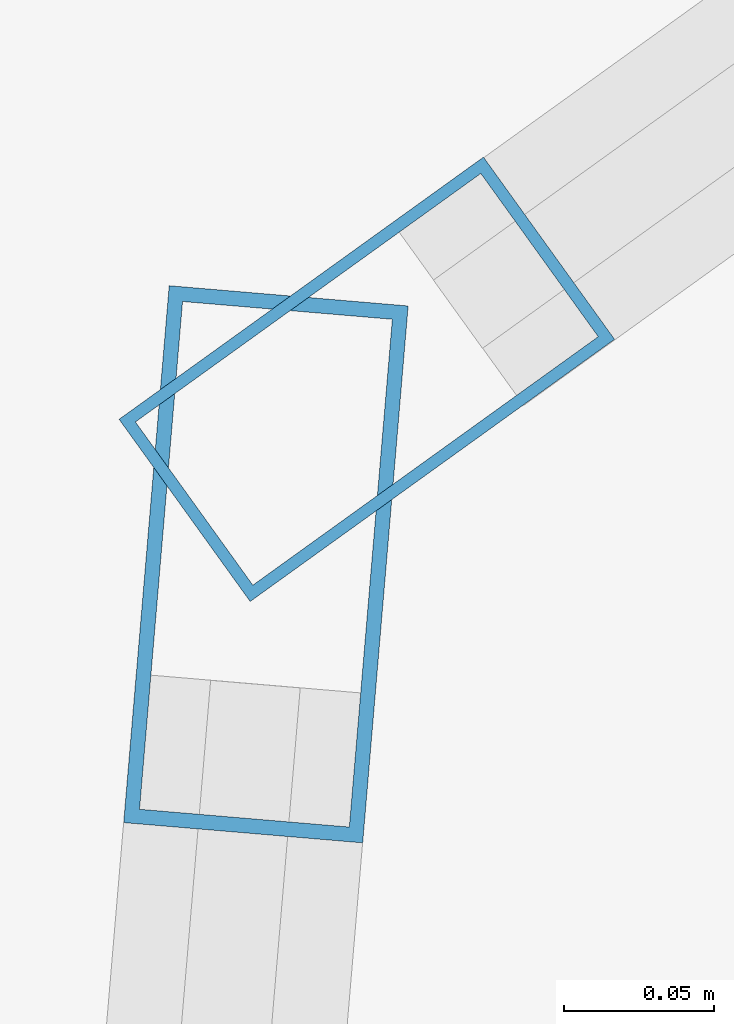
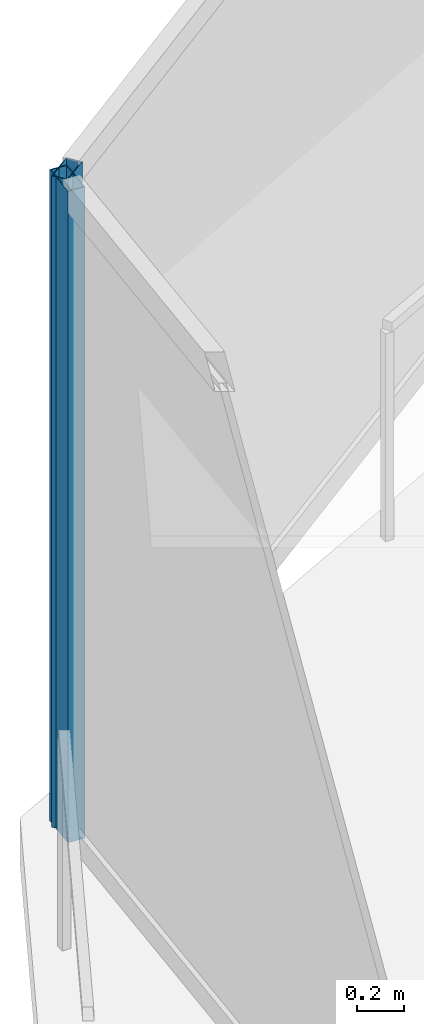
# One storey, part 17 of 30: 2 members, 2 elements without a shape of their own.
"""IFC4 building model written with IfcOpenShell, lengths in metres."""

import ifcopenshell
import ifcopenshell.guid

model = None  # the IFC model being written
_history = None  # IfcOwnerHistory: only IFC2X3 demands one
_inside = {}  # id of a spatial element -> (the spatial element, [elements in it])
_under = {}  # id of a project, library or spatial element -> (it, [spatial elements below it])
_declared = {}  # id of a project -> (the project, [libraries it declares])
_typed = {}  # id of a type object -> (the type object, [elements of that type])
_made_of = {}  # id of a material, layer set ... -> (it, [elements and type objects made of it])


def new_model(schema):
    """Start an empty IFC model of exactly this schema.

    Asked for "IFC4X3", IfcOpenShell would pick the latest addendum, in which some entities
    have other attributes; the version numbers below select the first issue.
    IFC2X3 requires an IfcOwnerHistory on every rooted entity: one is made here for all.
    """
    global model, _history
    if schema == "IFC4X3":
        model = ifcopenshell.file(schema_version=(4, 3, 0, 0))
    else:
        model = ifcopenshell.file(schema=schema)
    _inside.clear()
    _under.clear()
    _declared.clear()
    _typed.clear()
    _made_of.clear()
    _history = None
    if model.schema == "IFC2X3":
        org = make("IfcOrganization", Name="unknown")
        user = make(
            "IfcPersonAndOrganization",
            ThePerson=make("IfcPerson", FamilyName="unknown"),
            TheOrganization=org,
        )
        app = make(
            "IfcApplication",
            ApplicationDeveloper=org,
            Version="unknown",
            ApplicationFullName="unknown",
            ApplicationIdentifier="unknown",
        )
        _history = make(
            "IfcOwnerHistory",
            OwningUser=user,
            OwningApplication=app,
            ChangeAction="ADDED",
            CreationDate=0,
        )
    return model


def make(cls, **values):
    """One entity of the class cls with the attributes given. An attribute that is None is left unset."""
    return model.create_entity(
        cls, **{name: value for name, value in values.items() if value is not None}
    )


def rooted(cls, **values):
    """An entity with a GlobalId (a new one), such as an element, a storey or a relation."""
    return make(cls, GlobalId=ifcopenshell.guid.new(), OwnerHistory=_history, **values)


def si_unit(unit_type, name, prefix=None):
    """IfcSIUnit, for example si_unit("LENGTHUNIT", "METRE", prefix="MILLI")."""
    return make("IfcSIUnit", UnitType=unit_type, Prefix=prefix, Name=name)


def assignment(units):
    """IfcUnitAssignment: the units of a project."""
    return None if units is None else make("IfcUnitAssignment", Units=units)


def point(xyz):
    """IfcCartesianPoint."""
    return None if xyz is None else make("IfcCartesianPoint", Coordinates=xyz)


def direction(xyz):
    """IfcDirection."""
    return None if xyz is None else make("IfcDirection", DirectionRatios=xyz)


def frame(location, z_axis=None, x_axis=None):
    """IfcAxis2Placement3D, a coordinate frame: its origin and axes. An axis left out is left unset."""
    return make(
        "IfcAxis2Placement3D",
        Location=point(location),
        Axis=direction(z_axis),
        RefDirection=direction(x_axis),
    )


def frame_2d(location, x_axis=None):
    """IfcAxis2Placement2D, a coordinate frame in the plane: its origin and x axis."""
    return make(
        "IfcAxis2Placement2D", Location=point(location), RefDirection=direction(x_axis)
    )


def origin():
    """The frame at (0, 0, 0) with its axes left unset."""
    return frame((0.0, 0.0, 0.0))


def origin_2d():
    """The frame at (0, 0) in the plane with its x axis left unset."""
    return frame_2d((0.0, 0.0))


def place(relative_to, where):
    """IfcLocalPlacement: puts the frame where relative to a parent placement (None: the world)."""
    return make(
        "IfcLocalPlacement", PlacementRelTo=relative_to, RelativePlacement=where
    )


def context(
    kind, dimensions, precision=None, world=None, true_north=None, identifier=None
):
    """IfcGeometricRepresentationContext, for example the 3D "Model" context."""
    return make(
        "IfcGeometricRepresentationContext",
        ContextIdentifier=identifier,
        ContextType=kind,
        CoordinateSpaceDimension=dimensions,
        Precision=precision,
        WorldCoordinateSystem=world,
        TrueNorth=true_north,
    )


def subcontext(parent, identifier, kind, view, scale=None):
    """IfcGeometricRepresentationSubContext, for example "Body" below "Model"."""
    return make(
        "IfcGeometricRepresentationSubContext",
        ContextIdentifier=identifier,
        ContextType=kind,
        ParentContext=parent,
        TargetScale=scale,
        TargetView=view,
    )


def project(units=None, contexts=None):
    """IfcProject with its units and contexts."""
    return rooted(
        "IfcProject",
        Name="project",
        RepresentationContexts=contexts,
        UnitsInContext=assignment(units),
    )


def spatial(cls, under=None, at=None, **own):
    """A site, building, storey or space (cls), placed at a placement, below another one or the project."""
    s = rooted(cls, ObjectPlacement=at, **own)
    if under is not None:
        _under.setdefault(under.id(), (under, []))[1].append(s)
    return s


def profile(cls, at=None, kind="AREA", **sizes):
    """A parametric profile (cls). Its sizes go by their IFC names, for example OverallWidth=200.0."""
    return make(cls, ProfileType=kind, Position=at, **sizes)


def hollow_rectangle(**sizes):
    """IfcRectangleHollowProfileDef."""
    return profile("IfcRectangleHollowProfileDef", **sizes)


def extrude(swept, where, along, depth):
    """IfcExtrudedAreaSolid: the profile swept, set in the frame where, extruded along a direction by depth."""
    return make(
        "IfcExtrudedAreaSolid",
        SweptArea=swept,
        Position=where,
        ExtrudedDirection=direction(along),
        Depth=depth,
    )


def shape(context_of_items, identifier, shape_type, items):
    """IfcShapeRepresentation: the items that make up one representation, for example the "Body"."""
    return make(
        "IfcShapeRepresentation",
        ContextOfItems=context_of_items,
        RepresentationIdentifier=identifier,
        RepresentationType=shape_type,
        Items=items,
    )


def material(Name=None, Category=None):
    """IfcMaterial."""
    return make("IfcMaterial", Name=Name, Category=Category)


def layer(
    of_material, thickness, ventilated=None, Name=None, Category=None, Priority=None
):
    """IfcMaterialLayer: one layer of a wall or slab, of a material (None: an air gap)."""
    return make(
        "IfcMaterialLayer",
        Material=of_material,
        LayerThickness=thickness,
        IsVentilated=ventilated,
        Name=Name,
        Category=Category,
        Priority=Priority,
    )


def layer_set(layers, Name=None):
    """IfcMaterialLayerSet."""
    return make("IfcMaterialLayerSet", MaterialLayers=layers, LayerSetName=Name)


def material_profile(
    of_material, cross_section, Name=None, Category=None, Priority=None
):
    """IfcMaterialProfile: a cross section and its material."""
    return make(
        "IfcMaterialProfile",
        Name=Name,
        Material=of_material,
        Profile=cross_section,
        Priority=Priority,
        Category=Category,
    )


def profile_set(profiles, Name=None, composite=None):
    """IfcMaterialProfileSet."""
    return make(
        "IfcMaterialProfileSet",
        Name=Name,
        MaterialProfiles=profiles,
        CompositeProfile=composite,
    )


def made_of(thing, what):
    """Note that an element or type object is made of a material, layer set ...; save() writes the relation."""
    if what is not None:
        _made_of.setdefault(what.id(), (what, []))[1].append(thing)
    return thing


def type_object(cls, material=None, **own):
    """A type object (cls), such as IfcWallType, which elements share."""
    return made_of(rooted(cls, **own), material)


def element(
    cls,
    number,
    at=None,
    inside=None,
    cuts=None,
    type_object=None,
    material=None,
    context=None,
    identifier="Body",
    shape_type=None,
    held_by="IfcProductDefinitionShape",
    body=None,
    shapes=None,
    **own,
):
    """One element of the class cls, such as IfcWall. Its Tag is "e" and its number.

    at: its placement. inside: the storey or other place that contains it. cuts: it is an
    opening in that element (IfcRelVoidsElement). A single representation is given by context,
    identifier, shape_type and body (its items); several are given by shapes. held_by: the class
    of the entity that holds the representations. save() writes the other relations.
    """
    e = rooted(cls, Tag="e%d" % number, ObjectPlacement=at, **own)
    if body is not None:
        shapes = [shape(context, identifier, shape_type, body)]
    if shapes is not None:
        e.Representation = make(held_by, Representations=shapes)
    if inside is not None:
        _inside.setdefault(inside.id(), (inside, []))[1].append(e)
    if cuts is not None:
        rooted(
            "IfcRelVoidsElement", RelatingBuildingElement=cuts, RelatedOpeningElement=e
        )
    if type_object is not None:
        _typed.setdefault(type_object.id(), (type_object, []))[1].append(e)
    return made_of(e, material)


def aggregate(whole, parts):
    """IfcRelAggregates: a whole, such as a stair, and the parts it consists of."""
    return rooted("IfcRelAggregates", RelatingObject=whole, RelatedObjects=parts)


def save(model, path):
    """Write the relations noted so far, then the file.

    IfcRelAggregates (storeys below a building ...), IfcRelContainedInSpatialStructure (elements
    in a storey), IfcRelDefinesByType, IfcRelAssociatesMaterial and IfcRelDeclares: one each for
    every whole, place, type object, material and project.
    """
    for whole, parts in _under.values():
        aggregate(whole, parts)
    for where, things in _inside.values():
        rooted(
            "IfcRelContainedInSpatialStructure",
            RelatedElements=things,
            RelatingStructure=where,
        )
    for kind, things in _typed.values():
        rooted("IfcRelDefinesByType", RelatedObjects=things, RelatingType=kind)
    for what, things in _made_of.values():
        rooted("IfcRelAssociatesMaterial", RelatedObjects=things, RelatingMaterial=what)
    for by, libraries in _declared.values():
        rooted("IfcRelDeclares", RelatingContext=by, RelatedDefinitions=libraries)
    model.write(path)


model = new_model("IFC4")

# Units and contexts
model_context = context("Model", 3, precision=1e-05, world=origin(), true_north=direction((0.0, 1.0)))
body_context = subcontext(model_context, "Body", "Model", "MODEL_VIEW")
ifc_project = project(units=[si_unit("LENGTHUNIT", "METRE"), si_unit("AREAUNIT", "SQUARE_METRE"), si_unit("VOLUMEUNIT", "CUBIC_METRE"), si_unit("PLANEANGLEUNIT", "RADIAN"), si_unit("MASSUNIT", "GRAM", prefix="KILO")], contexts=[model_context])

# Site, building, storey
site_placement = place(None, origin())
site = spatial("IfcSite", under=ifc_project, at=site_placement, CompositionType="ELEMENT")
building_placement = place(site_placement, origin())
building = spatial("IfcBuilding", under=site, at=building_placement, Name="Kazevale Care Tower and Concert Hall", CompositionType="ELEMENT")
storey_placement = place(building_placement, frame((0.0, 0.0, 70.800048828125)))
storey = spatial("IfcBuildingStorey", under=building, at=storey_placement, Name="L18", CompositionType="ELEMENT", Elevation=70.800048828125)

# Curtain wall, member
ifc_material_1 = material(Name="Aluminium 6063-T6 and Low-E Glass", Category="aluminium")
ifc_layer_1 = layer(ifc_material_1, 0.179931640625)
ifc_layer_set_1 = layer_set([ifc_layer_1], Name="Aluminium 6063-T6 and Low-E Glass")
curtain_wall_type_1 = type_object("IfcCurtainWallType", Name="Convex Recessed Sunroom Curtain Wall CW-3", PredefinedType="NOTDEFINED", material=ifc_layer_set_1)
curtain_wall_1_placement = place(storey_placement, origin())
curtain_wall_1 = element("IfcCurtainWall", 1, at=curtain_wall_1_placement, inside=storey, type_object=curtain_wall_type_1, Name="cw:L18:f14", PredefinedType="NOTDEFINED")
ifc_material_2 = material(Name="Aluminium 6063-T6", Category="aluminium")
ifc_material_profile_1 = material_profile(ifc_material_2, hollow_rectangle(XDim=0.074951171875, YDim=0.14990234375, WallThickness=0.00390625, at=origin_2d()), Name="ALU75x150x4")
ifc_profile_set_1 = profile_set([ifc_material_profile_1], Name="Aluminium 6063-T6")
member_type_1 = type_object("IfcMemberType", Name="CW-3 Mullion ALU75x150x4", PredefinedType="MULLION", material=ifc_profile_set_1)
member_1_placement = place(storey_placement, frame((13.494384765625, 50.18701171875, 0.0), z_axis=(0.0, 0.0, 1.0), x_axis=(-0.583994227391, 0.811757810171, 0.0)))
member_1 = element("IfcMember", 2, at=member_1_placement, type_object=member_type_1, Name="CW-3 mullion 1", PredefinedType="MULLION", context=body_context, shape_type="SweptSolid", body=[
    extrude(hollow_rectangle(XDim=0.074951171875, YDim=0.14990234375, WallThickness=0.00390625, at=origin_2d()), origin(), (0.0, 0.0, 1.0), 3.35986328125),
])
aggregate(curtain_wall_1, [member_1])

ifc_layer_2 = layer(ifc_material_1, 0.179931640625)
ifc_layer_set_2 = layer_set([ifc_layer_2], Name="Aluminium 6063-T6 and Low-E Glass")
curtain_wall_type_2 = type_object("IfcCurtainWallType", Name="Waist & Upper Residential Curtain Wall CW-4", PredefinedType="NOTDEFINED", material=ifc_layer_set_2)
curtain_wall_2_placement = place(storey_placement, origin())
curtain_wall_2 = element("IfcCurtainWall", 3, at=curtain_wall_2_placement, inside=storey, type_object=curtain_wall_type_2, Name="cw:L18:f13", PredefinedType="NOTDEFINED")
ifc_material_profile_2 = material_profile(ifc_material_2, hollow_rectangle(XDim=0.080078125, YDim=0.179931640625, WallThickness=0.0048828125, at=origin_2d()), Name="ALU80x180x5")
ifc_profile_set_2 = profile_set([ifc_material_profile_2], Name="Aluminium 6063-T6")
member_type_2 = type_object("IfcMemberType", Name="CW-4 Mullion ALU80x180x5", PredefinedType="MULLION", material=ifc_profile_set_2)
member_2_placement = place(storey_placement, frame((13.460693359375, 50.125244140625, 0.0), z_axis=(0.0, 0.0, 1.0), x_axis=(-0.996430849754, 0.084413041998, 0.0)))
member_2 = element("IfcMember", 4, at=member_2_placement, type_object=member_type_2, Name="CW-4 mullion 2", PredefinedType="MULLION", context=body_context, shape_type="SweptSolid", body=[
    extrude(hollow_rectangle(XDim=0.080078125, YDim=0.179931640625, WallThickness=0.0048828125, at=origin_2d()), origin(), (0.0, 0.0, 1.0), 3.35986328125),
])
aggregate(curtain_wall_2, [member_2])

save(model, "model.ifc")
